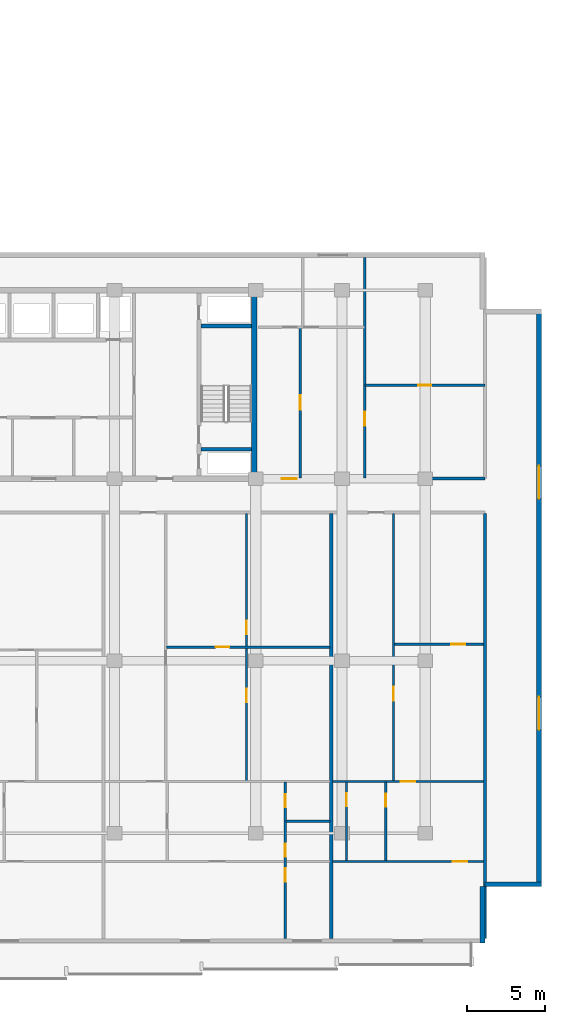
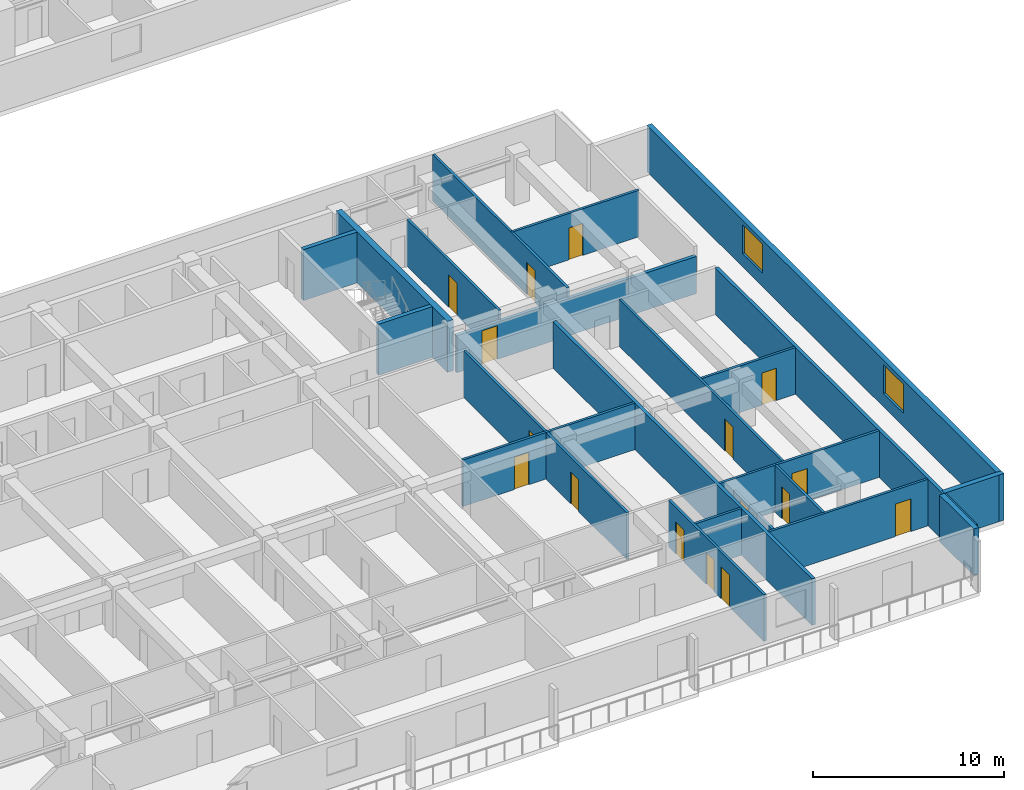
# One storey, part 8 of 24: 22 walls, 16 doors, 2 windows, 18 openings.
"""IFC4 building model written with IfcOpenShell, lengths in metres."""

from ifc_helpers import new_model, si_unit, direction, frame, frame_2d, origin, place, context, subcontext, project, spatial, rectangle, extrude, material, layer, layer_set, type_object, element, fill, save


model = new_model("IFC4")

# Units and contexts
model_context = context("Model", 3, precision=1e-05, world=origin(), true_north=direction((0.0, 1.0)))
body_context = subcontext(model_context, "Body", "Model", "MODEL_VIEW")
ifc_project = project(units=[si_unit("LENGTHUNIT", "METRE"), si_unit("AREAUNIT", "SQUARE_METRE"), si_unit("VOLUMEUNIT", "CUBIC_METRE"), si_unit("PLANEANGLEUNIT", "RADIAN"), si_unit("MASSUNIT", "GRAM", prefix="KILO")], contexts=[model_context])

# Site, building, storey
site_placement = place(None, origin())
site = spatial("IfcSite", under=ifc_project, at=site_placement, CompositionType="ELEMENT")
building_placement = place(site_placement, origin())
building = spatial("IfcBuilding", under=site, at=building_placement, Name="Korimba Cascade Residences", CompositionType="ELEMENT")
storey_placement = place(building_placement, frame((0.0, 0.0, 66.25)))
storey = spatial("IfcBuildingStorey", under=building, at=storey_placement, Name="L18", CompositionType="ELEMENT", Elevation=66.25)

# Walls
ifc_material_1 = material(Name="Precast concrete C40/50", Category="concrete")
ifc_layer_1 = layer(ifc_material_1, 0.300048828125)
ifc_layer_set_1 = layer_set([ifc_layer_1], Name="Precast concrete C40/50")
wall_type_1 = type_object("IfcWallType", Name="EW-STONE-300", PredefinedType="STANDARD", material=ifc_layer_set_1)
wall_1_placement = place(storey_placement, frame((132.550048828125, -11.199951171875, 0.0), z_axis=(0.0, 0.0, 1.0), x_axis=(0.0, 1.0, 0.0)))
element("IfcWall", 1, at=wall_1_placement, inside=storey, type_object=wall_type_1, Name="L18 T2 Perimeter Stone Wall E01", PredefinedType="STANDARD", context=body_context, shape_type="SweptSolid", body=[
    extrude(rectangle(XDim=3.599853515625, YDim=0.300048828125, at=frame_2d((1.7998046875, 0.0))), origin(), (0.0, 0.0, 1.0), 2.969970703125),
])
wall_2_placement = place(storey_placement, frame((132.699951171875, -7.449951171875, 0.0), z_axis=(0.0, 0.0, 1.0), x_axis=(1.0, 0.0, 0.0)))
element("IfcWall", 2, at=wall_2_placement, inside=storey, type_object=wall_type_1, Name="L18 T2 Perimeter Stone Wall E02", PredefinedType="STANDARD", context=body_context, shape_type="SweptSolid", body=[
    extrude(rectangle(XDim=3.60009765625, YDim=0.300048828125, at=frame_2d((1.800048828125, 0.0))), origin(), (0.0, 0.0, 1.0), 2.969970703125),
])

# Wall, openings, windows
wall_3_placement = place(storey_placement, frame((136.14990234375, -7.60009765625, 0.0), z_axis=(0.0, 0.0, 1.0), x_axis=(0.0, 1.0, 0.0)))
wall_3 = element("IfcWall", 3, at=wall_3_placement, inside=storey, type_object=wall_type_1, Name="L18 T2 Perimeter Stone Wall E03", PredefinedType="STANDARD", context=body_context, shape_type="SweptSolid", body=[
    extrude(rectangle(XDim=36.800048828125, YDim=0.300048828125, at=frame_2d((18.39990234375, 0.0))), origin(), (0.0, 0.0, 1.0), 2.969970703125),
])
opening_1_placement = place(wall_3_placement, frame((9.989990234375, 0.0, 0.85009765625)))
opening_1 = element("IfcOpeningElement", 4, at=opening_1_placement, cuts=wall_3, Name="Opening W-03", PredefinedType="OPENING", context=body_context, shape_type="SweptSolid", body=[
    extrude(rectangle(XDim=2.10009765625, YDim=1.85009765625, at=frame_2d((1.050048828125, 0.925048828125))), frame((0.0, 0.16015625, 0.0), z_axis=(0.0, -1.0, 0.0), x_axis=(1.0, 0.0, 0.0)), (0.0, 0.0, 1.0), 0.320068359375),
])
opening_2_placement = place(wall_3_placement, frame((24.7099609375, 0.0, 0.85009765625)))
opening_2 = element("IfcOpeningElement", 5, at=opening_2_placement, cuts=wall_3, Name="Opening W-03", PredefinedType="OPENING", context=body_context, shape_type="SweptSolid", body=[
    extrude(rectangle(XDim=2.10009765625, YDim=1.85009765625, at=frame_2d((1.050048828125, 0.925048828125))), frame((0.0, 0.16015625, 0.0), z_axis=(0.0, -1.0, 0.0), x_axis=(1.0, 0.0, 0.0)), (0.0, 0.0, 1.0), 0.320068359375),
])
ifc_material_2 = material(Name="Double-Glazed Aluminium Window", Category="aluminium")
window_type = type_object("IfcWindowType", Name="WIN-CRN-2100", PartitioningType="DOUBLE_PANEL_HORIZONTAL", PredefinedType="WINDOW", material=ifc_material_2)
window_1_placement = place(opening_1_placement, origin())
window_1 = element("IfcWindow", 6, at=window_1_placement, inside=storey, type_object=window_type, Name="L18 T2 End View Window 3.1", OverallHeight=1.85009765625, OverallWidth=2.10009765625, PartitioningType="DOUBLE_PANEL_HORIZONTAL", PredefinedType="WINDOW", context=body_context, shape_type="SweptSolid", body=[
    extrude(rectangle(XDim=2.10009765625, YDim=1.85009765625, at=frame_2d((1.050048828125, 0.925048828125))), frame((0.0, 0.030029296875, 0.0), z_axis=(0.0, -1.0, 0.0), x_axis=(1.0, 0.0, 0.0)), (0.0, 0.0, 1.0), 0.06005859375),
])
fill(opening_1, window_1)
window_2_placement = place(opening_2_placement, origin())
window_2 = element("IfcWindow", 7, at=window_2_placement, inside=storey, type_object=window_type, Name="L18 T2 End View Window 3.2", OverallHeight=1.85009765625, OverallWidth=2.10009765625, PartitioningType="DOUBLE_PANEL_HORIZONTAL", PredefinedType="WINDOW", context=body_context, shape_type="SweptSolid", body=[
    extrude(rectangle(XDim=2.10009765625, YDim=1.85009765625, at=frame_2d((1.050048828125, 0.925048828125))), frame((0.0, 0.030029296875, 0.0), z_axis=(0.0, -1.0, 0.0), x_axis=(1.0, 0.0, 0.0)), (0.0, 0.0, 1.0), 0.06005859375),
])
fill(opening_2, window_2)

# Wall
ifc_material_3 = material(Name="Concrete C65/80", Category="concrete")
ifc_layer_2 = layer(ifc_material_3, 0.35009765625)
ifc_layer_set_2 = layer_set([ifc_layer_2], Name="Concrete C65/80")
wall_type_2 = type_object("IfcWallType", Name="WAL-CORE-350", PredefinedType="SHEAR", material=ifc_layer_set_2)
wall_4_placement = place(storey_placement, frame((118.014892578125, 18.574951171875, 0.0), z_axis=(0.0, 0.0, 1.0), x_axis=(0.0, 1.0, 0.0)))
element("IfcWall", 8, at=wall_4_placement, inside=storey, type_object=wall_type_2, Name="L18 Core Shear Wall CW-L18-T2-E", PredefinedType="SHEAR", context=body_context, shape_type="SweptSolid", body=[
    extrude(rectangle(XDim=11.650146484375, YDim=0.35009765625, at=frame_2d((5.8251953125, 0.0))), origin(), (0.0, 0.0, 1.0), 3.25),
])

# Wall, opening, door
ifc_layer_3 = layer(ifc_material_1, 0.199951171875)
ifc_layer_set_3 = layer_set([ifc_layer_3], Name="Precast concrete C40/50")
wall_type_3 = type_object("IfcWallType", Name="WAL-IT-200", PredefinedType="PARTITIONING", material=ifc_layer_set_3)
wall_5_placement = place(storey_placement, frame((118.25, 18.39990234375, 0.0), z_axis=(0.0, 0.0, 1.0), x_axis=(1.0, 0.0, 0.0)))
wall_5 = element("IfcWall", 9, at=wall_5_placement, inside=storey, type_object=wall_type_3, Name="L18 Partition Wall WAL-L18-T2-FE-S", PredefinedType="PARTITIONING", context=body_context, shape_type="SweptSolid", body=[
    extrude(rectangle(XDim=14.449951171875, YDim=0.199951171875, at=frame_2d((7.22509765625, 0.0))), origin(), (0.0, 0.0, 1.0), 2.3701171875),
])
opening_3_placement = place(wall_5_placement, frame((1.510009765625, 0.0, 0.0)))
opening_3 = element("IfcOpeningElement", 10, at=opening_3_placement, cuts=wall_5, Name="Opening D-UN1", PredefinedType="OPENING", context=body_context, shape_type="SweptSolid", body=[
    extrude(rectangle(XDim=0.949951171875, YDim=2.14990234375, at=frame_2d((0.47509765625, 1.074951171875))), frame((0.0, 0.10986328125, 0.0), z_axis=(0.0, -1.0, 0.0), x_axis=(1.0, 0.0, 0.0)), (0.0, 0.0, 1.0), 0.219970703125),
])
ifc_material_4 = material(Name="Fire-Rated Hardwood Apartment Entrance Door", Category="wood")
door_type_1 = type_object("IfcDoorType", Name="DR-FD60-950", OperationType="NOTDEFINED", PredefinedType="DOOR", material=ifc_material_4)
door_1_placement = place(opening_3_placement, origin())
door_1 = element("IfcDoor", 11, at=door_1_placement, inside=storey, type_object=door_type_1, Name="L18-T2-FE Entrance Door", OperationType="SINGLE_SWING_RIGHT", OverallHeight=2.14990234375, OverallWidth=0.949951171875, PredefinedType="DOOR", context=body_context, shape_type="SweptSolid", body=[
    extrude(rectangle(XDim=0.949951171875, YDim=2.14990234375, at=frame_2d((0.47509765625, 1.074951171875))), frame((0.0, 0.02490234375, 0.0), z_axis=(0.0, -1.0, 0.0), x_axis=(1.0, 0.0, 0.0)), (0.0, 0.0, 1.0), 0.050048828125),
])
fill(opening_3, door_1)

# Walls
for number, where, z_axis, x_axis, name in (
    (12, (132.699951171875, -10.89990234375, 0.0), (0.0, 0.0, 1.0), (0.0, 1.0, 0.0), "L18 Partition Wall WAL-L18-T2-BNDWR"),
    (13, (122.910400390625, -10.89990234375, 0.0), (0.0, 0.0, 1.0), (0.0, 1.0, 0.0), "L18 Partition Wall WAL-L18-T2-DEM-4"),
):
    element("IfcWall", number, at=place(storey_placement, frame(where, z_axis=z_axis, x_axis=x_axis)), inside=storey, type_object=wall_type_3, Name=name, PredefinedType="PARTITIONING", context=body_context, shape_type="SweptSolid", body=[
        extrude(rectangle(XDim=27.06982421875, YDim=0.199951171875, at=frame_2d((13.534912109375, 0.0))), origin(), (0.0, 0.0, 1.0), 2.969970703125),
    ])

# Wall, opening, door
ifc_material_5 = material(Name="Insulated Acoustic Stud Partition", Category="gypsum")
ifc_layer_4 = layer(ifc_material_5, 0.14990234375)
ifc_layer_set_4 = layer_set([ifc_layer_4], Name="Insulated Acoustic Stud Partition")
wall_type_4 = type_object("IfcWallType", Name="WAL-PART-150", PredefinedType="PARTITIONING", material=ifc_layer_set_4)
wall_6_placement = place(storey_placement, frame((125.050048828125, 24.35009765625, 0.0), z_axis=(0.0, 0.0, 1.0), x_axis=(1.0, 0.0, 0.0)))
wall_6 = element("IfcWall", 14, at=wall_6_placement, inside=storey, type_object=wall_type_4, Name="L18 Partition Wall WAL-L18-T2-FE-STH", PredefinedType="PARTITIONING", context=body_context, shape_type="SweptSolid", body=[
    extrude(rectangle(XDim=7.64990234375, YDim=0.14990234375, at=frame_2d((3.824951171875, 0.0))), origin(), (0.0, 0.0, 1.0), 2.969970703125),
])
opening_4_placement = place(wall_6_placement, frame((3.405029296875, 0.0, 0.0)))
opening_4 = element("IfcOpeningElement", 15, at=opening_4_placement, cuts=wall_6, Name="Opening D-BT1", PredefinedType="OPENING", context=body_context, shape_type="SweptSolid", body=[
    extrude(rectangle(XDim=0.840087890625, YDim=2.0400390625, at=frame_2d((0.419921875, 1.02001953125))), frame((0.0, 0.0849609375, 0.0), z_axis=(0.0, -1.0, 0.0), x_axis=(1.0, 0.0, 0.0)), (0.0, 0.0, 1.0), 0.169921875),
])
ifc_material_6 = material(Name="Moisture-Resistant Bathroom Timber Door", Category="wood")
door_type_2 = type_object("IfcDoorType", Name="DR-INT-850", OperationType="NOTDEFINED", PredefinedType="DOOR", material=ifc_material_6)
door_2_placement = place(opening_4_placement, origin())
door_2 = element("IfcDoor", 16, at=door_2_placement, inside=storey, type_object=door_type_2, Name="L18-T2-FE Dressing Store Door", OperationType="SINGLE_SWING_LEFT", OverallHeight=2.0400390625, OverallWidth=0.840087890625, PredefinedType="DOOR", context=body_context, shape_type="SweptSolid", body=[
    extrude(rectangle(XDim=0.840087890625, YDim=2.0400390625, at=frame_2d((0.419921875, 1.02001953125))), frame((0.0, 0.02490234375, 0.0), z_axis=(0.0, -1.0, 0.0), x_axis=(1.0, 0.0, 0.0)), (0.0, 0.0, 1.0), 0.050048828125),
])
fill(opening_4, door_2)

wall_7_placement = place(storey_placement, frame((125.050048828125, 18.449951171875, 0.0), z_axis=(0.0, 0.0, 1.0), x_axis=(0.0, 1.0, 0.0)))
wall_7 = element("IfcWall", 17, at=wall_7_placement, inside=storey, type_object=wall_type_4, Name="L18 Partition Wall WAL-L18-T2-FE-STV", PredefinedType="PARTITIONING", context=body_context, shape_type="SweptSolid", body=[
    extrude(rectangle(XDim=14.050048828125, YDim=0.14990234375, at=frame_2d((7.02490234375, 0.0))), origin(), (0.0, 0.0, 1.0), 2.969970703125),
])
opening_5_placement = place(wall_7_placement, frame((3.320068359375, 0.0, 0.0)))
opening_5 = element("IfcOpeningElement", 18, at=opening_5_placement, cuts=wall_7, Name="Opening D-IN2", PredefinedType="OPENING", context=body_context, shape_type="SweptSolid", body=[
    extrude(rectangle(XDim=0.8798828125, YDim=2.06005859375, at=frame_2d((0.43994140625, 1.030029296875))), frame((0.0, 0.0849609375, 0.0), z_axis=(0.0, -1.0, 0.0), x_axis=(1.0, 0.0, 0.0)), (0.0, 0.0, 1.0), 0.169921875),
])
ifc_material_7 = material(Name="Acoustic Timber Bedroom Door", Category="wood")
door_type_3 = type_object("IfcDoorType", Name="DR-INT-880", OperationType="NOTDEFINED", PredefinedType="DOOR", material=ifc_material_7)
door_3_placement = place(opening_5_placement, origin())
door_3 = element("IfcDoor", 19, at=door_3_placement, inside=storey, type_object=door_type_3, Name="L18-T2-FE Study Door", OperationType="SINGLE_SWING_RIGHT", OverallHeight=2.06005859375, OverallWidth=0.8798828125, PredefinedType="DOOR", context=body_context, shape_type="SweptSolid", body=[
    extrude(rectangle(XDim=0.8798828125, YDim=2.06005859375, at=frame_2d((0.43994140625, 1.030029296875))), frame((0.0, 0.02490234375, 0.0), z_axis=(0.0, -1.0, 0.0), x_axis=(1.0, 0.0, 0.0)), (0.0, 0.0, 1.0), 0.050048828125),
])
fill(opening_5, door_3)

wall_8_placement = place(storey_placement, frame((120.929931640625, 18.449951171875, 0.0), z_axis=(0.0, 0.0, 1.0), x_axis=(0.0, 1.0, 0.0)))
wall_8 = element("IfcWall", 20, at=wall_8_placement, inside=storey, type_object=wall_type_4, Name="L18 Partition Wall WAL-L18-T2-FE-VS", PredefinedType="PARTITIONING", context=body_context, shape_type="SweptSolid", body=[
    extrude(rectangle(XDim=9.60009765625, YDim=0.14990234375, at=frame_2d((4.800048828125, 0.0))), origin(), (0.0, 0.0, 1.0), 2.969970703125),
])
opening_6_placement = place(wall_8_placement, frame((4.340087890625, 0.0, 0.0)))
opening_6 = element("IfcOpeningElement", 21, at=opening_6_placement, cuts=wall_8, Name="Opening D-IN1", PredefinedType="OPENING", context=body_context, shape_type="SweptSolid", body=[
    extrude(rectangle(XDim=0.919921875, YDim=2.080078125, at=frame_2d((0.4599609375, 1.0400390625))), frame((0.0, 0.0849609375, 0.0), z_axis=(0.0, -1.0, 0.0), x_axis=(1.0, 0.0, 0.0)), (0.0, 0.0, 1.0), 0.169921875),
])
ifc_material_8 = material(Name="Acoustic Timber Living Door", Category="wood")
door_type_4 = type_object("IfcDoorType", Name="DR-INT-920", OperationType="NOTDEFINED", PredefinedType="DOOR", material=ifc_material_8)
door_4_placement = place(opening_6_placement, origin())
door_4 = element("IfcDoor", 22, at=door_4_placement, inside=storey, type_object=door_type_4, Name="L18-T2-FE Living Door", OperationType="SINGLE_SWING_LEFT", OverallHeight=2.080078125, OverallWidth=0.919921875, PredefinedType="DOOR", context=body_context, shape_type="SweptSolid", body=[
    extrude(rectangle(XDim=0.919921875, YDim=2.080078125, at=frame_2d((0.4599609375, 1.0400390625))), frame((0.0, 0.02490234375, 0.0), z_axis=(0.0, -1.0, 0.0), x_axis=(1.0, 0.0, 0.0)), (0.0, 0.0, 1.0), 0.050048828125),
])
fill(opening_6, door_4)

# Wall, openings, doors
wall_9_placement = place(storey_placement, frame((117.507568359375, -0.860107421875, 0.0), z_axis=(0.0, 0.0, 1.0), x_axis=(0.0, 1.0, 0.0)))
wall_9 = element("IfcWall", 23, at=wall_9_placement, inside=storey, type_object=wall_type_4, Name="L18 Partition Wall WAL-L18-T2-U04-FMV", PredefinedType="PARTITIONING", context=body_context, shape_type="SweptSolid", body=[
    extrude(rectangle(XDim=17.050048828125, YDim=0.14990234375, at=frame_2d((8.52490234375, 0.0))), origin(), (0.0, 0.0, 1.0), 2.969970703125),
])
opening_7_placement = place(wall_9_placement, frame((5.026123046875, 0.0, 0.0)))
opening_7 = element("IfcOpeningElement", 24, at=opening_7_placement, cuts=wall_9, Name="Opening D-BT1", PredefinedType="OPENING", context=body_context, shape_type="SweptSolid", body=[
    extrude(rectangle(XDim=0.840087890625, YDim=2.0400390625, at=frame_2d((0.419921875, 1.02001953125))), frame((0.0, 0.0849609375, 0.0), z_axis=(0.0, -1.0, 0.0), x_axis=(1.0, 0.0, 0.0)), (0.0, 0.0, 1.0), 0.169921875),
])
opening_8_placement = place(wall_9_placement, frame((9.338623046875, 0.0, 0.0)))
opening_8 = element("IfcOpeningElement", 25, at=opening_8_placement, cuts=wall_9, Name="Opening D-IN2", PredefinedType="OPENING", context=body_context, shape_type="SweptSolid", body=[
    extrude(rectangle(XDim=0.8798828125, YDim=2.06005859375, at=frame_2d((0.43994140625, 1.030029296875))), frame((0.0, 0.0849609375, 0.0), z_axis=(0.0, -1.0, 0.0), x_axis=(1.0, 0.0, 0.0)), (0.0, 0.0, 1.0), 0.169921875),
])
door_5_placement = place(opening_7_placement, origin())
door_5 = element("IfcDoor", 26, at=door_5_placement, inside=storey, type_object=door_type_2, Name="L18-T2-U04 Wardrobe Door", OperationType="SINGLE_SWING_RIGHT", OverallHeight=2.0400390625, OverallWidth=0.840087890625, PredefinedType="DOOR", context=body_context, shape_type="SweptSolid", body=[
    extrude(rectangle(XDim=0.840087890625, YDim=2.0400390625, at=frame_2d((0.419921875, 1.02001953125))), frame((0.0, 0.02490234375, 0.0), z_axis=(0.0, -1.0, 0.0), x_axis=(1.0, 0.0, 0.0)), (0.0, 0.0, 1.0), 0.050048828125),
])
fill(opening_7, door_5)
door_6_placement = place(opening_8_placement, origin())
door_6 = element("IfcDoor", 27, at=door_6_placement, inside=storey, type_object=door_type_3, Name="L18-T2-U04 Music Lounge Door", OperationType="SINGLE_SWING_LEFT", OverallHeight=2.06005859375, OverallWidth=0.8798828125, PredefinedType="DOOR", context=body_context, shape_type="SweptSolid", body=[
    extrude(rectangle(XDim=0.8798828125, YDim=2.06005859375, at=frame_2d((0.43994140625, 1.030029296875))), frame((0.0, 0.02490234375, 0.0), z_axis=(0.0, -1.0, 0.0), x_axis=(1.0, 0.0, 0.0)), (0.0, 0.0, 1.0), 0.050048828125),
])
fill(opening_8, door_6)

# Wall, opening, door
wall_10_placement = place(storey_placement, frame((112.4248046875, 7.6650390625, 0.0), z_axis=(0.0, 0.0, 1.0), x_axis=(1.0, 0.0, 0.0)))
wall_10 = element("IfcWall", 28, at=wall_10_placement, inside=storey, type_object=wall_type_4, Name="L18 Partition Wall WAL-L18-T2-U04-FMH", PredefinedType="PARTITIONING", context=body_context, shape_type="SweptSolid", body=[
    extrude(rectangle(XDim=10.405517578125, YDim=0.14990234375, at=frame_2d((5.20263671875, 0.0))), origin(), (0.0, 0.0, 1.0), 2.969970703125),
])
opening_9_placement = place(wall_10_placement, frame((3.11083984375, 0.0, 0.0)))
opening_9 = element("IfcOpeningElement", 29, at=opening_9_placement, cuts=wall_10, Name="Opening D-IN2", PredefinedType="OPENING", context=body_context, shape_type="SweptSolid", body=[
    extrude(rectangle(XDim=0.8798828125, YDim=2.06005859375, at=frame_2d((0.43994140625, 1.030029296875))), frame((0.0, 0.0849609375, 0.0), z_axis=(0.0, -1.0, 0.0), x_axis=(1.0, 0.0, 0.0)), (0.0, 0.0, 1.0), 0.169921875),
])
door_7_placement = place(opening_9_placement, origin())
door_7 = element("IfcDoor", 30, at=door_7_placement, inside=storey, type_object=door_type_3, Name="L18-T2-U04 Library Salon Door", OperationType="SINGLE_SWING_RIGHT", OverallHeight=2.06005859375, OverallWidth=0.8798828125, PredefinedType="DOOR", context=body_context, shape_type="SweptSolid", body=[
    extrude(rectangle(XDim=0.8798828125, YDim=2.06005859375, at=frame_2d((0.43994140625, 1.030029296875))), frame((0.0, 0.02490234375, 0.0), z_axis=(0.0, -1.0, 0.0), x_axis=(1.0, 0.0, 0.0)), (0.0, 0.0, 1.0), 0.050048828125),
])
fill(opening_9, door_7)

# Wall
wall_11_placement = place(storey_placement, frame((120.0400390625, -3.43994140625, 0.0), z_axis=(0.0, 0.0, 1.0), x_axis=(1.0, 0.0, 0.0)))
element("IfcWall", 31, at=wall_11_placement, inside=storey, type_object=wall_type_4, Name="L18 Partition Wall WAL-L18-T2-U04-BLDIV", PredefinedType="PARTITIONING", context=body_context, shape_type="SweptSolid", body=[
    extrude(rectangle(XDim=2.790283203125, YDim=0.14990234375, at=frame_2d((1.39501953125, 0.0))), origin(), (0.0, 0.0, 1.0), 2.969970703125),
])

# Wall, openings, doors
wall_12_placement = place(storey_placement, frame((119.97998046875, -10.89990234375, 0.0), z_axis=(0.0, 0.0, 1.0), x_axis=(0.0, 1.0, 0.0)))
wall_12 = element("IfcWall", 32, at=wall_12_placement, inside=storey, type_object=wall_type_4, Name="L18 Partition Wall WAL-L18-T2-U04-V1", PredefinedType="PARTITIONING", context=body_context, shape_type="SweptSolid", body=[
    extrude(rectangle(XDim=9.9599609375, YDim=0.14990234375, at=frame_2d((4.97998046875, 0.0))), origin(), (0.0, 0.0, 1.0), 2.969970703125),
])
opening_10_placement = place(wall_12_placement, frame((5.199951171875, 0.0, 0.0)))
opening_10 = element("IfcOpeningElement", 33, at=opening_10_placement, cuts=wall_12, Name="Opening D-BT1", PredefinedType="OPENING", context=body_context, shape_type="SweptSolid", body=[
    extrude(rectangle(XDim=0.840087890625, YDim=2.0400390625, at=frame_2d((0.419921875, 1.02001953125))), frame((0.0, 0.0849609375, 0.0), z_axis=(0.0, -1.0, 0.0), x_axis=(1.0, 0.0, 0.0)), (0.0, 0.0, 1.0), 0.169921875),
])
opening_11_placement = place(wall_12_placement, frame((8.359130859375, 0.0, 0.0)))
opening_11 = element("IfcOpeningElement", 34, at=opening_11_placement, cuts=wall_12, Name="Opening D-BT1", PredefinedType="OPENING", context=body_context, shape_type="SweptSolid", body=[
    extrude(rectangle(XDim=0.840087890625, YDim=2.0400390625, at=frame_2d((0.419921875, 1.02001953125))), frame((0.0, 0.0849609375, 0.0), z_axis=(0.0, -1.0, 0.0), x_axis=(1.0, 0.0, 0.0)), (0.0, 0.0, 1.0), 0.169921875),
])
opening_12_placement = place(wall_12_placement, frame((3.60009765625, 0.0, 0.0)))
opening_12 = element("IfcOpeningElement", 35, at=opening_12_placement, cuts=wall_12, Name="Opening D-IN2", PredefinedType="OPENING", context=body_context, shape_type="SweptSolid", body=[
    extrude(rectangle(XDim=0.8798828125, YDim=2.06005859375, at=frame_2d((0.43994140625, 1.030029296875))), frame((0.0, 0.0849609375, 0.0), z_axis=(0.0, -1.0, 0.0), x_axis=(1.0, 0.0, 0.0)), (0.0, 0.0, 1.0), 0.169921875),
])
door_8_placement = place(opening_10_placement, origin())
door_8 = element("IfcDoor", 36, at=door_8_placement, inside=storey, type_object=door_type_2, Name="L18-T2-U04 Bathroom Door", OperationType="SINGLE_SWING_LEFT", OverallHeight=2.0400390625, OverallWidth=0.840087890625, PredefinedType="DOOR", context=body_context, shape_type="SweptSolid", body=[
    extrude(rectangle(XDim=0.840087890625, YDim=2.0400390625, at=frame_2d((0.419921875, 1.02001953125))), frame((0.0, 0.02490234375, 0.0), z_axis=(0.0, -1.0, 0.0), x_axis=(1.0, 0.0, 0.0)), (0.0, 0.0, 1.0), 0.050048828125),
])
fill(opening_10, door_8)
door_9_placement = place(opening_11_placement, origin())
door_9 = element("IfcDoor", 37, at=door_9_placement, inside=storey, type_object=door_type_2, Name="L18-T2-U04 Laundry Door", OperationType="SINGLE_SWING_RIGHT", OverallHeight=2.0400390625, OverallWidth=0.840087890625, PredefinedType="DOOR", context=body_context, shape_type="SweptSolid", body=[
    extrude(rectangle(XDim=0.840087890625, YDim=2.0400390625, at=frame_2d((0.419921875, 1.02001953125))), frame((0.0, 0.02490234375, 0.0), z_axis=(0.0, -1.0, 0.0), x_axis=(1.0, 0.0, 0.0)), (0.0, 0.0, 1.0), 0.050048828125),
])
fill(opening_11, door_9)
door_10_placement = place(opening_12_placement, origin())
door_10 = element("IfcDoor", 38, at=door_10_placement, inside=storey, type_object=door_type_3, Name="L18-T2-U04 Bedroom 1 Door", OperationType="SINGLE_SWING_LEFT", OverallHeight=2.06005859375, OverallWidth=0.8798828125, PredefinedType="DOOR", context=body_context, shape_type="SweptSolid", body=[
    extrude(rectangle(XDim=0.8798828125, YDim=2.06005859375, at=frame_2d((0.43994140625, 1.030029296875))), frame((0.0, 0.02490234375, 0.0), z_axis=(0.0, -1.0, 0.0), x_axis=(1.0, 0.0, 0.0)), (0.0, 0.0, 1.0), 0.050048828125),
])
fill(opening_12, door_10)

# Wall, opening, door
wall_13_placement = place(storey_placement, frame((126.9404296875, 7.844970703125, 0.0), z_axis=(0.0, 0.0, 1.0), x_axis=(1.0, 0.0, 0.0)))
wall_13 = element("IfcWall", 39, at=wall_13_placement, inside=storey, type_object=wall_type_4, Name="L18 Partition Wall WAL-L18-T2-U05-FMH", PredefinedType="PARTITIONING", context=body_context, shape_type="SweptSolid", body=[
    extrude(rectangle(XDim=5.6796875, YDim=0.14990234375, at=frame_2d((2.83984375, 0.0))), origin(), (0.0, 0.0, 1.0), 2.969970703125),
])
opening_13_placement = place(wall_13_placement, frame((3.629638671875, 0.0, 0.0)))
opening_13 = element("IfcOpeningElement", 40, at=opening_13_placement, cuts=wall_13, Name="Opening D-IN2", PredefinedType="OPENING", context=body_context, shape_type="SweptSolid", body=[
    extrude(rectangle(XDim=0.8798828125, YDim=2.06005859375, at=frame_2d((0.43994140625, 1.030029296875))), frame((0.0, 0.0849609375, 0.0), z_axis=(0.0, -1.0, 0.0), x_axis=(1.0, 0.0, 0.0)), (0.0, 0.0, 1.0), 0.169921875),
])
door_11_placement = place(opening_13_placement, origin())
door_11 = element("IfcDoor", 41, at=door_11_placement, inside=storey, type_object=door_type_3, Name="L18-T2-U05 Library Salon Door", OperationType="SINGLE_SWING_RIGHT", OverallHeight=2.06005859375, OverallWidth=0.8798828125, PredefinedType="DOOR", context=body_context, shape_type="SweptSolid", body=[
    extrude(rectangle(XDim=0.8798828125, YDim=2.06005859375, at=frame_2d((0.43994140625, 1.030029296875))), frame((0.0, 0.02490234375, 0.0), z_axis=(0.0, -1.0, 0.0), x_axis=(1.0, 0.0, 0.0)), (0.0, 0.0, 1.0), 0.050048828125),
])
fill(opening_13, door_11)

wall_14_placement = place(storey_placement, frame((126.88037109375, -0.860107421875, 0.0), z_axis=(0.0, 0.0, 1.0), x_axis=(0.0, 1.0, 0.0)))
wall_14 = element("IfcWall", 42, at=wall_14_placement, inside=storey, type_object=wall_type_4, Name="L18 Partition Wall WAL-L18-T2-U05-FV", PredefinedType="PARTITIONING", context=body_context, shape_type="SweptSolid", body=[
    extrude(rectangle(XDim=17.050048828125, YDim=0.14990234375, at=frame_2d((8.52490234375, 0.0))), origin(), (0.0, 0.0, 1.0), 2.969970703125),
])
opening_14_placement = place(wall_14_placement, frame((5.118408203125, 0.0, 0.0)))
opening_14 = element("IfcOpeningElement", 43, at=opening_14_placement, cuts=wall_14, Name="Opening D-IN2", PredefinedType="OPENING", context=body_context, shape_type="SweptSolid", body=[
    extrude(rectangle(XDim=0.8798828125, YDim=2.06005859375, at=frame_2d((0.43994140625, 1.030029296875))), frame((0.0, 0.0849609375, 0.0), z_axis=(0.0, -1.0, 0.0), x_axis=(1.0, 0.0, 0.0)), (0.0, 0.0, 1.0), 0.169921875),
])
door_12_placement = place(opening_14_placement, origin())
door_12 = element("IfcDoor", 44, at=door_12_placement, inside=storey, type_object=door_type_3, Name="L18-T2-U05 Media Lounge Door", OperationType="SINGLE_SWING_LEFT", OverallHeight=2.06005859375, OverallWidth=0.8798828125, PredefinedType="DOOR", context=body_context, shape_type="SweptSolid", body=[
    extrude(rectangle(XDim=0.8798828125, YDim=2.06005859375, at=frame_2d((0.43994140625, 1.030029296875))), frame((0.0, 0.02490234375, 0.0), z_axis=(0.0, -1.0, 0.0), x_axis=(1.0, 0.0, 0.0)), (0.0, 0.0, 1.0), 0.050048828125),
])
fill(opening_14, door_12)

wall_15_placement = place(storey_placement, frame((123.8798828125, -5.93994140625, 0.0), z_axis=(0.0, 0.0, 1.0), x_axis=(0.0, 1.0, 0.0)))
wall_15 = element("IfcWall", 45, at=wall_15_placement, inside=storey, type_object=wall_type_4, Name="L18 Partition Wall WAL-L18-T2-U05-CLS", PredefinedType="PARTITIONING", context=body_context, shape_type="SweptSolid", body=[
    extrude(rectangle(XDim=5.0, YDim=0.14990234375, at=frame_2d((2.5, 0.0))), origin(), (0.0, 0.0, 1.0), 2.219970703125),
])
opening_15_placement = place(wall_15_placement, frame((3.464111328125, 0.0, 0.0)))
opening_15 = element("IfcOpeningElement", 46, at=opening_15_placement, cuts=wall_15, Name="Opening D-BT1", PredefinedType="OPENING", context=body_context, shape_type="SweptSolid", body=[
    extrude(rectangle(XDim=0.840087890625, YDim=2.0400390625, at=frame_2d((0.419921875, 1.02001953125))), frame((0.0, 0.0849609375, 0.0), z_axis=(0.0, -1.0, 0.0), x_axis=(1.0, 0.0, 0.0)), (0.0, 0.0, 1.0), 0.169921875),
])
door_13_placement = place(opening_15_placement, origin())
door_13 = element("IfcDoor", 47, at=door_13_placement, inside=storey, type_object=door_type_2, Name="L18-T2-U05 Closet Door", OperationType="SINGLE_SWING_RIGHT", OverallHeight=2.0400390625, OverallWidth=0.840087890625, PredefinedType="DOOR", context=body_context, shape_type="SweptSolid", body=[
    extrude(rectangle(XDim=0.840087890625, YDim=2.0400390625, at=frame_2d((0.419921875, 1.02001953125))), frame((0.0, 0.02490234375, 0.0), z_axis=(0.0, -1.0, 0.0), x_axis=(1.0, 0.0, 0.0)), (0.0, 0.0, 1.0), 0.050048828125),
])
fill(opening_15, door_13)

wall_16_placement = place(storey_placement, frame((126.3798828125, -5.93994140625, 0.0), z_axis=(0.0, 0.0, 1.0), x_axis=(0.0, 1.0, 0.0)))
wall_16 = element("IfcWall", 48, at=wall_16_placement, inside=storey, type_object=wall_type_4, Name="L18 Partition Wall WAL-L18-T2-U05-BM", PredefinedType="PARTITIONING", context=body_context, shape_type="SweptSolid", body=[
    extrude(rectangle(XDim=5.0, YDim=0.14990234375, at=frame_2d((2.5, 0.0))), origin(), (0.0, 0.0, 1.0), 2.969970703125),
])
opening_16_placement = place(wall_16_placement, frame((3.424072265625, 0.0, 0.0)))
opening_16 = element("IfcOpeningElement", 49, at=opening_16_placement, cuts=wall_16, Name="Opening D-BT1", PredefinedType="OPENING", context=body_context, shape_type="SweptSolid", body=[
    extrude(rectangle(XDim=0.840087890625, YDim=2.0400390625, at=frame_2d((0.419921875, 1.02001953125))), frame((0.0, 0.0849609375, 0.0), z_axis=(0.0, -1.0, 0.0), x_axis=(1.0, 0.0, 0.0)), (0.0, 0.0, 1.0), 0.169921875),
])
door_14_placement = place(opening_16_placement, origin())
door_14 = element("IfcDoor", 50, at=door_14_placement, inside=storey, type_object=door_type_2, Name="L18-T2-U05 Bathroom Door", OperationType="SINGLE_SWING_LEFT", OverallHeight=2.0400390625, OverallWidth=0.840087890625, PredefinedType="DOOR", context=body_context, shape_type="SweptSolid", body=[
    extrude(rectangle(XDim=0.840087890625, YDim=2.0400390625, at=frame_2d((0.419921875, 1.02001953125))), frame((0.0, 0.02490234375, 0.0), z_axis=(0.0, -1.0, 0.0), x_axis=(1.0, 0.0, 0.0)), (0.0, 0.0, 1.0), 0.050048828125),
])
fill(opening_16, door_14)

wall_17_placement = place(storey_placement, frame((122.990478515625, -0.89990234375, 0.0), z_axis=(0.0, 0.0, 1.0), x_axis=(1.0, 0.0, 0.0)))
wall_17 = element("IfcWall", 51, at=wall_17_placement, inside=storey, type_object=wall_type_4, Name="L18 Partition Wall WAL-L18-T2-U05-MW", PredefinedType="PARTITIONING", context=body_context, shape_type="SweptSolid", body=[
    extrude(rectangle(XDim=9.629638671875, YDim=0.14990234375, at=frame_2d((4.81494140625, 0.0))), origin(), (0.0, 0.0, 1.0), 2.969970703125),
])
opening_17_placement = place(wall_17_placement, frame((4.354736328125, 0.0, 0.0)))
opening_17 = element("IfcOpeningElement", 52, at=opening_17_placement, cuts=wall_17, Name="Opening D-IN1", PredefinedType="OPENING", context=body_context, shape_type="SweptSolid", body=[
    extrude(rectangle(XDim=0.919921875, YDim=2.080078125, at=frame_2d((0.4599609375, 1.0400390625))), frame((0.0, 0.0849609375, 0.0), z_axis=(0.0, -1.0, 0.0), x_axis=(1.0, 0.0, 0.0)), (0.0, 0.0, 1.0), 0.169921875),
])
door_15_placement = place(opening_17_placement, origin())
door_15 = element("IfcDoor", 53, at=door_15_placement, inside=storey, type_object=door_type_4, Name="L18-T2-U05 Studio Kitchen Door", OperationType="SINGLE_SWING_RIGHT", OverallHeight=2.080078125, OverallWidth=0.919921875, PredefinedType="DOOR", context=body_context, shape_type="SweptSolid", body=[
    extrude(rectangle(XDim=0.919921875, YDim=2.080078125, at=frame_2d((0.4599609375, 1.0400390625))), frame((0.0, 0.02490234375, 0.0), z_axis=(0.0, -1.0, 0.0), x_axis=(1.0, 0.0, 0.0)), (0.0, 0.0, 1.0), 0.050048828125),
])
fill(opening_17, door_15)

wall_18_placement = place(storey_placement, frame((122.990478515625, -6.0, 0.0), z_axis=(0.0, 0.0, 1.0), x_axis=(1.0, 0.0, 0.0)))
wall_18 = element("IfcWall", 54, at=wall_18_placement, inside=storey, type_object=wall_type_4, Name="L18 Partition Wall WAL-L18-T2-U05-HZ", PredefinedType="PARTITIONING", context=body_context, shape_type="SweptSolid", body=[
    extrude(rectangle(XDim=9.629638671875, YDim=0.14990234375, at=frame_2d((4.81494140625, 0.0))), origin(), (0.0, 0.0, 1.0), 2.969970703125),
])
opening_18_placement = place(wall_18_placement, frame((7.65478515625, 0.0, 0.0)))
opening_18 = element("IfcOpeningElement", 55, at=opening_18_placement, cuts=wall_18, Name="Opening D-IN1", PredefinedType="OPENING", context=body_context, shape_type="SweptSolid", body=[
    extrude(rectangle(XDim=0.919921875, YDim=2.080078125, at=frame_2d((0.4599609375, 1.0400390625))), frame((0.0, 0.0849609375, 0.0), z_axis=(0.0, -1.0, 0.0), x_axis=(1.0, 0.0, 0.0)), (0.0, 0.0, 1.0), 0.169921875),
])
door_16_placement = place(opening_18_placement, origin())
door_16 = element("IfcDoor", 56, at=door_16_placement, inside=storey, type_object=door_type_4, Name="L18-T2-U05 Studio Door", OperationType="SINGLE_SWING_LEFT", OverallHeight=2.080078125, OverallWidth=0.919921875, PredefinedType="DOOR", context=body_context, shape_type="SweptSolid", body=[
    extrude(rectangle(XDim=0.919921875, YDim=2.080078125, at=frame_2d((0.4599609375, 1.0400390625))), frame((0.0, 0.02490234375, 0.0), z_axis=(0.0, -1.0, 0.0), x_axis=(1.0, 0.0, 0.0)), (0.0, 0.0, 1.0), 0.050048828125),
])
fill(opening_18, door_16)

# Walls
ifc_material_9 = material(Name="Concrete C50/60", Category="concrete")
ifc_layer_5 = layer(ifc_material_9, 0.25)
ifc_layer_set_5 = layer_set([ifc_layer_5], Name="Concrete C50/60")
wall_type_5 = type_object("IfcWallType", Name="WAL-SHAFT-250", PredefinedType="SHEAR", material=ifc_layer_set_5)
for number, where, z_axis, x_axis, name in (
    (57, (114.60009765625, 20.27490234375, 0.0), (0.0, 0.0, 1.0), (1.0, 0.0, 0.0), "L18 Core Shear Wall CW-L18-T2-STE2S"),
    (58, (114.60009765625, 28.125, 0.0), (0.0, 0.0, 1.0), (1.0, 0.0, 0.0), "L18 Core Shear Wall CW-L18-T2-STE2N"),
):
    element("IfcWall", number, at=place(storey_placement, frame(where, z_axis=z_axis, x_axis=x_axis)), inside=storey, type_object=wall_type_5, Name=name, PredefinedType="SHEAR", context=body_context, shape_type="SweptSolid", body=[
        extrude(rectangle(XDim=3.239990234375, YDim=0.25, at=frame_2d((1.6201171875, 0.0))), origin(), (0.0, 0.0, 1.0), 3.25),
    ])

save(model, "model.ifc")
